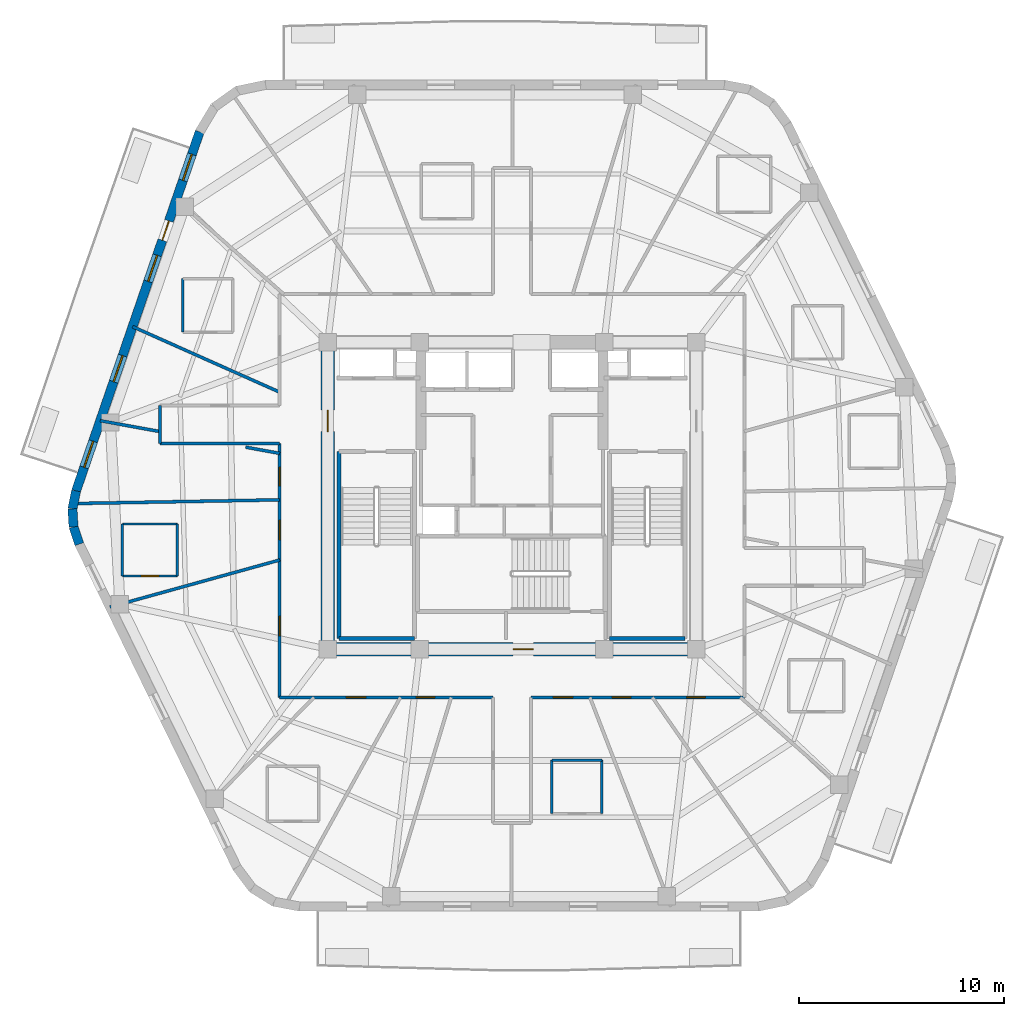
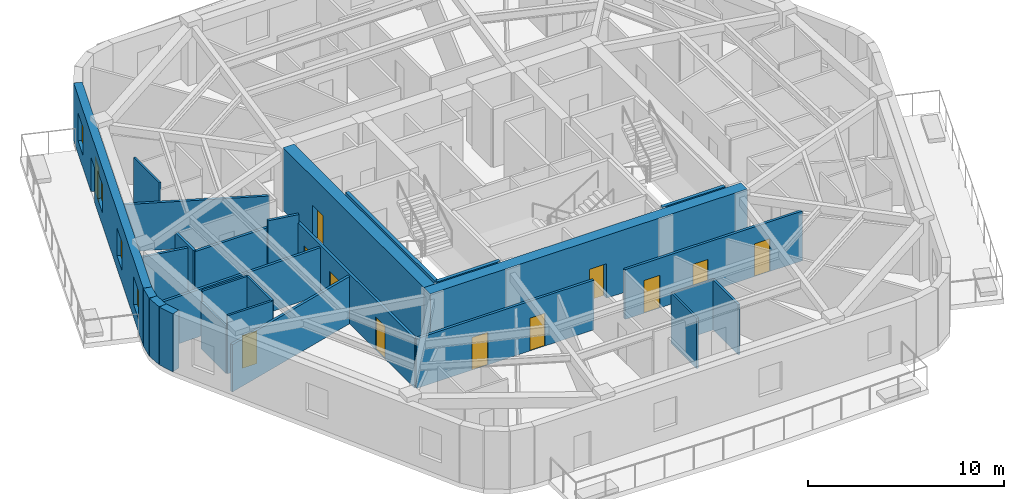
# One storey, part 3 of 9: 27 walls, 12 doors, 4 windows, 16 openings.
"""IFC4 building model written with IfcOpenShell, lengths in metres."""

from ifc_helpers import new_model, si_unit, direction, frame, frame_2d, origin, place, context, subcontext, project, spatial, rectangle, extrude, material, layer, layer_set, type_object, element, fill, save


model = new_model("IFC4")

# Units and contexts
model_context = context("Model", 3, precision=1e-05, world=origin(), true_north=direction((0.0, 1.0)))
body_context = subcontext(model_context, "Body", "Model", "MODEL_VIEW")
ifc_project = project(units=[si_unit("LENGTHUNIT", "METRE"), si_unit("AREAUNIT", "SQUARE_METRE"), si_unit("VOLUMEUNIT", "CUBIC_METRE"), si_unit("PLANEANGLEUNIT", "RADIAN"), si_unit("MASSUNIT", "GRAM", prefix="KILO")], contexts=[model_context])

# Site, building, storey
site_placement = place(None, origin())
site = spatial("IfcSite", under=ifc_project, at=site_placement, CompositionType="ELEMENT")
building_placement = place(site_placement, origin())
building = spatial("IfcBuilding", under=site, at=building_placement, Name="Kilnhurst Terrace Hotel", CompositionType="ELEMENT")
storey_placement = place(building_placement, frame((0.0, 0.0, 265.199951171875)))
storey = spatial("IfcBuildingStorey", under=building, at=storey_placement, Name="L66", CompositionType="ELEMENT", Elevation=265.199951171875)

# Walls
ifc_material_1 = material(Name="Precast concrete C40/50", Category="concrete")
ifc_layer_1 = layer(ifc_material_1, 0.449951171875, Name="Precast concrete C40/50")
ifc_layer_set_1 = layer_set([ifc_layer_1], Name="Precast concrete C40/50")
wall_type_1 = type_object("IfcWallType", Name="WL-BRK-450", PredefinedType="SOLIDWALL", material=ifc_layer_set_1)
wall_1_placement = place(storey_placement, frame((-21.297607421875, 0.2333984375, 0.0), z_axis=(0.0, 0.0, 1.0), x_axis=(-0.199158176661, -0.979967356941, 0.0)))
element("IfcWall", 1, at=wall_1_placement, inside=storey, type_object=wall_type_1, Name="L66 Rounded Corner Brick Wall C6.1", PredefinedType="SOLIDWALL", context=body_context, shape_type="SweptSolid", body=[
    extrude(rectangle(XDim=0.894775390625, YDim=0.449951171875, at=frame_2d((0.447265625, 0.0))), origin(), (0.0, 0.0, 1.0), 3.60009765625),
])
wall_2_placement = place(storey_placement, frame((-21.475830078125, -0.6435546875, 0.0), z_axis=(0.0, 0.0, 1.0), x_axis=(0.061031097918, -0.998135865044, 0.0)))
element("IfcWall", 2, at=wall_2_placement, inside=storey, type_object=wall_type_1, Name="L66 Rounded Corner Brick Wall C6.2", PredefinedType="SOLIDWALL", context=body_context, shape_type="SweptSolid", body=[
    extrude(rectangle(XDim=0.880126953125, YDim=0.449951171875, at=frame_2d((0.43994140625, 0.0))), origin(), (0.0, 0.0, 1.0), 3.60009765625),
])
wall_3_placement = place(storey_placement, frame((-21.422119140625, -1.52197265625, 0.0), z_axis=(0.0, 0.0, 1.0), x_axis=(0.316964162323, -0.94843751497, 0.0)))
element("IfcWall", 3, at=wall_3_placement, inside=storey, type_object=wall_type_1, Name="L66 Rounded Corner Brick Wall C6.3", PredefinedType="SOLIDWALL", context=body_context, shape_type="SweptSolid", body=[
    extrude(rectangle(XDim=0.89501953125, YDim=0.449951171875, at=frame_2d((0.447509765625, 0.0))), origin(), (0.0, 0.0, 1.0), 3.60009765625),
])

# Wall, openings, door, windows
wall_4_placement = place(storey_placement, frame((-15.260498046875, 17.776123046875, 0.0), z_axis=(0.0, 0.0, 1.0), x_axis=(-0.325407437101, -0.945573899745, 0.0)))
wall_4 = element("IfcWall", 4, at=wall_4_placement, inside=storey, type_object=wall_type_1, Name="L66 Exterior Brick Facade Wall F5", PredefinedType="SOLIDWALL", context=body_context, shape_type="SweptSolid", body=[
    extrude(rectangle(XDim=18.552490234375, YDim=0.449951171875, at=frame_2d((9.2763671875, 0.0))), origin(), (0.0, 0.0, 1.0), 3.60009765625),
])
opening_1_placement = place(wall_4_placement, frame((4.60205078125, 0.0, 0.0)))
opening_1 = element("IfcOpeningElement", 5, at=opening_1_placement, cuts=wall_4, Name="Opening BD-1000", PredefinedType="OPENING", context=body_context, shape_type="SweptSolid", body=[
    extrude(rectangle(XDim=1.0, YDim=2.14990234375, at=frame_2d((0.5, 1.074951171875))), frame((0.0, 0.23486328125, 0.0), z_axis=(0.0, -1.0, 0.0), x_axis=(1.0, 0.0, 0.0)), (0.0, 0.0, 1.0), 0.469970703125),
])
opening_2_placement = place(wall_4_placement, frame((1.160888671875, 0.0, 0.800048828125)))
opening_2 = element("IfcOpeningElement", 6, at=opening_2_placement, cuts=wall_4, Name="Opening W-06", PredefinedType="OPENING", context=body_context, shape_type="SweptSolid", body=[
    extrude(rectangle(XDim=1.35009765625, YDim=1.75, at=frame_2d((0.675048828125, 0.875))), frame((0.0, 0.23486328125, 0.0), z_axis=(0.0, -1.0, 0.0), x_axis=(1.0, 0.0, 0.0)), (0.0, 0.0, 1.0), 0.469970703125),
])
opening_3_placement = place(wall_4_placement, frame((6.37890625, 0.0, 0.800048828125)))
opening_3 = element("IfcOpeningElement", 7, at=opening_3_placement, cuts=wall_4, Name="Opening W-06", PredefinedType="OPENING", context=body_context, shape_type="SweptSolid", body=[
    extrude(rectangle(XDim=1.35009765625, YDim=1.75, at=frame_2d((0.675048828125, 0.875))), frame((0.0, 0.23486328125, 0.0), z_axis=(0.0, -1.0, 0.0), x_axis=(1.0, 0.0, 0.0)), (0.0, 0.0, 1.0), 0.469970703125),
])
opening_4_placement = place(wall_4_placement, frame((11.56103515625, 0.0, 0.800048828125)))
opening_4 = element("IfcOpeningElement", 8, at=opening_4_placement, cuts=wall_4, Name="Opening W-06", PredefinedType="OPENING", context=body_context, shape_type="SweptSolid", body=[
    extrude(rectangle(XDim=1.35009765625, YDim=1.75, at=frame_2d((0.675048828125, 0.875))), frame((0.0, 0.23486328125, 0.0), z_axis=(0.0, -1.0, 0.0), x_axis=(1.0, 0.0, 0.0)), (0.0, 0.0, 1.0), 0.469970703125),
])
opening_5_placement = place(wall_4_placement, frame((15.987060546875, 0.0, 0.800048828125)))
opening_5 = element("IfcOpeningElement", 9, at=opening_5_placement, cuts=wall_4, Name="Opening W-06", PredefinedType="OPENING", context=body_context, shape_type="SweptSolid", body=[
    extrude(rectangle(XDim=1.35009765625, YDim=1.75, at=frame_2d((0.675048828125, 0.875))), frame((0.0, 0.23486328125, 0.0), z_axis=(0.0, -1.0, 0.0), x_axis=(1.0, 0.0, 0.0)), (0.0, 0.0, 1.0), 0.469970703125),
])
ifc_material_2 = material(Name="Thermally Broken Bronze Aluminium Alloy 6063-T6 and Laminated Glass", Category="aluminium")
door_type_1 = type_object("IfcDoorType", Name="DR-EXT-BAL-1000", OperationType="NOTDEFINED", PredefinedType="DOOR", material=ifc_material_2)
door_1_placement = place(opening_1_placement, origin())
door_1 = element("IfcDoor", 10, at=door_1_placement, inside=storey, type_object=door_type_1, Name="L66 Planted Balcony Door BAL-L2B", OperationType="SINGLE_SWING_LEFT", OverallHeight=2.14990234375, OverallWidth=1.0, PredefinedType="DOOR", context=body_context, shape_type="SweptSolid", body=[
    extrude(rectangle(XDim=1.0, YDim=2.14990234375, at=frame_2d((0.5, 1.074951171875))), frame((0.0, 0.02490234375, 0.0), z_axis=(0.0, -1.0, 0.0), x_axis=(1.0, 0.0, 0.0)), (0.0, 0.0, 1.0), 0.050048828125),
])
fill(opening_1, door_1)
ifc_material_3 = material(Name="Thermally Broken Bronze Aluminium Alloy 6063-T6 and Low-E Glass", Category="aluminium")
window_type = type_object("IfcWindowType", Name="WIN-1350X1750", PartitioningType="SINGLE_PANEL", PredefinedType="WINDOW", material=ifc_material_3)
window_1_placement = place(opening_2_placement, origin())
window_1 = element("IfcWindow", 11, at=window_1_placement, inside=storey, type_object=window_type, Name="L66 Deep-Set Masonry Window F5.1", OverallHeight=1.75, OverallWidth=1.35009765625, PartitioningType="SINGLE_PANEL", PredefinedType="WINDOW", context=body_context, shape_type="SweptSolid", body=[
    extrude(rectangle(XDim=1.35009765625, YDim=1.75, at=frame_2d((0.675048828125, 0.875))), frame((0.0, 0.030029296875, 0.0), z_axis=(0.0, -1.0, 0.0), x_axis=(1.0, 0.0, 0.0)), (0.0, 0.0, 1.0), 0.06005859375),
])
fill(opening_2, window_1)
window_2_placement = place(opening_3_placement, origin())
window_2 = element("IfcWindow", 12, at=window_2_placement, inside=storey, type_object=window_type, Name="L66 Deep-Set Masonry Window F5.2", OverallHeight=1.75, OverallWidth=1.35009765625, PartitioningType="SINGLE_PANEL", PredefinedType="WINDOW", context=body_context, shape_type="SweptSolid", body=[
    extrude(rectangle(XDim=1.35009765625, YDim=1.75, at=frame_2d((0.675048828125, 0.875))), frame((0.0, 0.030029296875, 0.0), z_axis=(0.0, -1.0, 0.0), x_axis=(1.0, 0.0, 0.0)), (0.0, 0.0, 1.0), 0.06005859375),
])
fill(opening_3, window_2)
window_3_placement = place(opening_4_placement, origin())
window_3 = element("IfcWindow", 13, at=window_3_placement, inside=storey, type_object=window_type, Name="L66 Deep-Set Masonry Window F5.3", OverallHeight=1.75, OverallWidth=1.35009765625, PartitioningType="SINGLE_PANEL", PredefinedType="WINDOW", context=body_context, shape_type="SweptSolid", body=[
    extrude(rectangle(XDim=1.35009765625, YDim=1.75, at=frame_2d((0.675048828125, 0.875))), frame((0.0, 0.030029296875, 0.0), z_axis=(0.0, -1.0, 0.0), x_axis=(1.0, 0.0, 0.0)), (0.0, 0.0, 1.0), 0.06005859375),
])
fill(opening_4, window_3)
window_4_placement = place(opening_5_placement, origin())
window_4 = element("IfcWindow", 14, at=window_4_placement, inside=storey, type_object=window_type, Name="L66 Deep-Set Masonry Window F5.4", OverallHeight=1.75, OverallWidth=1.35009765625, PartitioningType="SINGLE_PANEL", PredefinedType="WINDOW", context=body_context, shape_type="SweptSolid", body=[
    extrude(rectangle(XDim=1.35009765625, YDim=1.75, at=frame_2d((0.675048828125, 0.875))), frame((0.0, 0.030029296875, 0.0), z_axis=(0.0, -1.0, 0.0), x_axis=(1.0, 0.0, 0.0)), (0.0, 0.0, 1.0), 0.06005859375),
])
fill(opening_5, window_4)

# Wall, openings, doors
ifc_material_4 = material(Name="Acoustic Double-Gypsum Corridor Partition Assembly")
ifc_layer_2 = layer(ifc_material_4, 0.14990234375, Name="Acoustic Double-Gypsum Corridor Partition Assembly")
ifc_layer_set_2 = layer_set([ifc_layer_2], Name="Acoustic Double-Gypsum Corridor Partition Assembly")
wall_type_2 = type_object("IfcWallType", Name="WL-COR-150", PredefinedType="PARTITIONING", material=ifc_layer_set_2)
wall_5_placement = place(storey_placement, frame((-11.35009765625, -9.85009765625, 0.0), z_axis=(0.0, 0.0, 1.0), x_axis=(0.0, 1.0, 0.0)))
wall_5 = element("IfcWall", 15, at=wall_5_placement, inside=storey, type_object=wall_type_2, Name="L66 Interior Wall WL-L66-COR-01", PredefinedType="PARTITIONING", context=body_context, shape_type="SweptSolid", body=[
    extrude(rectangle(XDim=12.400146484375, YDim=0.14990234375, at=frame_2d((6.2001953125, 0.0))), origin(), (0.0, 0.0, 1.0), 3.090087890625),
])
opening_6_placement = place(wall_5_placement, frame((10.3330078125, 0.0, 0.0)))
opening_6 = element("IfcOpeningElement", 16, at=opening_6_placement, cuts=wall_5, Name="Opening D-60C", PredefinedType="OPENING", context=body_context, shape_type="SweptSolid", body=[
    extrude(rectangle(XDim=0.89990234375, YDim=2.030029296875, at=frame_2d((0.449951171875, 1.01513671875))), frame((0.0, 0.0849609375, 0.0), z_axis=(0.0, -1.0, 0.0), x_axis=(1.0, 0.0, 0.0)), (0.0, 0.0, 1.0), 0.169921875),
])
opening_7_placement = place(wall_5_placement, frame((7.697021484375, 0.0, 0.0)))
opening_7 = element("IfcOpeningElement", 17, at=opening_7_placement, cuts=wall_5, Name="Opening D-60B", PredefinedType="OPENING", context=body_context, shape_type="SweptSolid", body=[
    extrude(rectangle(XDim=0.949951171875, YDim=2.030029296875, at=frame_2d((0.47509765625, 1.01513671875))), frame((0.0, 0.0849609375, 0.0), z_axis=(0.0, -1.0, 0.0), x_axis=(1.0, 0.0, 0.0)), (0.0, 0.0, 1.0), 0.169921875),
])
opening_8_placement = place(wall_5_placement, frame((2.998046875, 0.0, 0.0)))
opening_8 = element("IfcOpeningElement", 18, at=opening_8_placement, cuts=wall_5, Name="Opening D-60B", PredefinedType="OPENING", context=body_context, shape_type="SweptSolid", body=[
    extrude(rectangle(XDim=0.949951171875, YDim=2.030029296875, at=frame_2d((0.47509765625, 1.01513671875))), frame((0.0, 0.0849609375, 0.0), z_axis=(0.0, -1.0, 0.0), x_axis=(1.0, 0.0, 0.0)), (0.0, 0.0, 1.0), 0.169921875),
])
ifc_material_5 = material(Name="Painted Solid-Core Service Fire Door")
door_type_2 = type_object("IfcDoorType", Name="DR-FD60-900", OperationType="NOTDEFINED", PredefinedType="DOOR", material=ifc_material_5)
door_2_placement = place(opening_6_placement, origin())
door_2 = element("IfcDoor", 19, at=door_2_placement, inside=storey, type_object=door_type_2, Name="L66 Private Tasting Dining Room Door 11", OperationType="SINGLE_SWING_LEFT", OverallHeight=2.030029296875, OverallWidth=0.89990234375, PredefinedType="DOOR", context=body_context, shape_type="SweptSolid", body=[
    extrude(rectangle(XDim=0.89990234375, YDim=2.030029296875, at=frame_2d((0.449951171875, 1.01513671875))), frame((0.0, 0.02490234375, 0.0), z_axis=(0.0, -1.0, 0.0), x_axis=(1.0, 0.0, 0.0)), (0.0, 0.0, 1.0), 0.050048828125),
])
fill(opening_6, door_2)
ifc_material_6 = material(Name="Acoustic Walnut Veneer Solid-Core Fire Door")
door_type_3 = type_object("IfcDoorType", Name="DR-FD60-950", OperationType="NOTDEFINED", PredefinedType="DOOR", material=ifc_material_6)
door_3_placement = place(opening_7_placement, origin())
door_3 = element("IfcDoor", 20, at=door_3_placement, inside=storey, type_object=door_type_3, Name="L66 Guest Room Entry Door 12", OperationType="SINGLE_SWING_RIGHT", OverallHeight=2.030029296875, OverallWidth=0.949951171875, PredefinedType="DOOR", context=body_context, shape_type="SweptSolid", body=[
    extrude(rectangle(XDim=0.949951171875, YDim=2.030029296875, at=frame_2d((0.47509765625, 1.01513671875))), frame((0.0, 0.02490234375, 0.0), z_axis=(0.0, -1.0, 0.0), x_axis=(1.0, 0.0, 0.0)), (0.0, 0.0, 1.0), 0.050048828125),
])
fill(opening_7, door_3)
door_4_placement = place(opening_8_placement, origin())
door_4 = element("IfcDoor", 21, at=door_4_placement, inside=storey, type_object=door_type_3, Name="L66 Summit Club Lounge Door", OperationType="SINGLE_SWING_LEFT", OverallHeight=2.030029296875, OverallWidth=0.949951171875, PredefinedType="DOOR", context=body_context, shape_type="SweptSolid", body=[
    extrude(rectangle(XDim=0.949951171875, YDim=2.030029296875, at=frame_2d((0.47509765625, 1.01513671875))), frame((0.0, 0.02490234375, 0.0), z_axis=(0.0, -1.0, 0.0), x_axis=(1.0, 0.0, 0.0)), (0.0, 0.0, 1.0), 0.050048828125),
])
fill(opening_8, door_4)

# Walls
wall_6_placement = place(storey_placement, frame((-11.35009765625, 2.550048828125, 0.0), z_axis=(0.0, 0.0, 1.0), x_axis=(-1.0, 0.0, 0.0)))
element("IfcWall", 22, at=wall_6_placement, inside=storey, type_object=wall_type_2, Name="L66 Interior Wall WL-L66-COR-02", PredefinedType="PARTITIONING", context=body_context, shape_type="SweptSolid", body=[
    extrude(rectangle(XDim=5.849853515625, YDim=0.14990234375, at=frame_2d((2.9248046875, 0.0))), origin(), (0.0, 0.0, 1.0), 3.04052734375),
])
wall_7_placement = place(storey_placement, frame((-17.199951171875, 2.550048828125, 0.0), z_axis=(0.0, 0.0, 1.0), x_axis=(0.0, 1.0, 0.0)))
element("IfcWall", 23, at=wall_7_placement, inside=storey, type_object=wall_type_2, Name="L66 Interior Wall WL-L66-COR-03", PredefinedType="PARTITIONING", context=body_context, shape_type="SweptSolid", body=[
    extrude(rectangle(XDim=1.849853515625, YDim=0.14990234375, at=frame_2d((0.9248046875, 0.0))), origin(), (0.0, 0.0, 1.0), 3.090087890625),
])

# Wall, openings, doors
wall_8_placement = place(storey_placement, frame((11.35009765625, -9.85009765625, 0.0), z_axis=(0.0, 0.0, 1.0), x_axis=(-1.0, 0.0, 0.0)))
wall_8 = element("IfcWall", 24, at=wall_8_placement, inside=storey, type_object=wall_type_2, Name="L66 Interior Wall WL-L66-COR-16", PredefinedType="PARTITIONING", context=body_context, shape_type="SweptSolid", body=[
    extrude(rectangle(XDim=10.43017578125, YDim=0.14990234375, at=frame_2d((5.215087890625, 0.0))), origin(), (0.0, 0.0, 1.0), 3.090087890625),
])
opening_9_placement = place(wall_8_placement, frame((8.382080078125, 0.0, 0.0)))
opening_9 = element("IfcOpeningElement", 25, at=opening_9_placement, cuts=wall_8, Name="Opening D-60B", PredefinedType="OPENING", context=body_context, shape_type="SweptSolid", body=[
    extrude(rectangle(XDim=0.949951171875, YDim=2.030029296875, at=frame_2d((0.47509765625, 1.01513671875))), frame((0.0, 0.0849609375, 0.0), z_axis=(0.0, -1.0, 0.0), x_axis=(1.0, 0.0, 0.0)), (0.0, 0.0, 1.0), 0.169921875),
])
opening_10_placement = place(wall_8_placement, frame((5.541015625, 0.0, 0.0)))
opening_10 = element("IfcOpeningElement", 26, at=opening_10_placement, cuts=wall_8, Name="Opening D-60C", PredefinedType="OPENING", context=body_context, shape_type="SweptSolid", body=[
    extrude(rectangle(XDim=0.89990234375, YDim=2.030029296875, at=frame_2d((0.449951171875, 1.01513671875))), frame((0.0, 0.0849609375, 0.0), z_axis=(0.0, -1.0, 0.0), x_axis=(1.0, 0.0, 0.0)), (0.0, 0.0, 1.0), 0.169921875),
])
opening_11_placement = place(wall_8_placement, frame((1.916015625, 0.0, 0.0)))
opening_11 = element("IfcOpeningElement", 27, at=opening_11_placement, cuts=wall_8, Name="Opening D-60C", PredefinedType="OPENING", context=body_context, shape_type="SweptSolid", body=[
    extrude(rectangle(XDim=0.89990234375, YDim=2.030029296875, at=frame_2d((0.449951171875, 1.01513671875))), frame((0.0, 0.0849609375, 0.0), z_axis=(0.0, -1.0, 0.0), x_axis=(1.0, 0.0, 0.0)), (0.0, 0.0, 1.0), 0.169921875),
])
door_5_placement = place(opening_10_placement, origin())
door_5 = element("IfcDoor", 28, at=door_5_placement, inside=storey, type_object=door_type_2, Name="L66 Botanical Reading Lounge Door 18", OperationType="SINGLE_SWING_RIGHT", OverallHeight=2.030029296875, OverallWidth=0.89990234375, PredefinedType="DOOR", context=body_context, shape_type="SweptSolid", body=[
    extrude(rectangle(XDim=0.89990234375, YDim=2.030029296875, at=frame_2d((0.449951171875, 1.01513671875))), frame((0.0, 0.02490234375, 0.0), z_axis=(0.0, -1.0, 0.0), x_axis=(1.0, 0.0, 0.0)), (0.0, 0.0, 1.0), 0.050048828125),
])
fill(opening_10, door_5)
door_6_placement = place(opening_11_placement, origin())
door_6 = element("IfcDoor", 29, at=door_6_placement, inside=storey, type_object=door_type_2, Name="L66 Private Meeting Salon Door 19", OperationType="SINGLE_SWING_LEFT", OverallHeight=2.030029296875, OverallWidth=0.89990234375, PredefinedType="DOOR", context=body_context, shape_type="SweptSolid", body=[
    extrude(rectangle(XDim=0.89990234375, YDim=2.030029296875, at=frame_2d((0.449951171875, 1.01513671875))), frame((0.0, 0.02490234375, 0.0), z_axis=(0.0, -1.0, 0.0), x_axis=(1.0, 0.0, 0.0)), (0.0, 0.0, 1.0), 0.050048828125),
])
fill(opening_11, door_6)
door_7_placement = place(opening_9_placement, origin())
door_7 = element("IfcDoor", 30, at=door_7_placement, inside=storey, type_object=door_type_3, Name="L66 Guest Room Entry Door 17", OperationType="SINGLE_SWING_LEFT", OverallHeight=2.030029296875, OverallWidth=0.949951171875, PredefinedType="DOOR", context=body_context, shape_type="SweptSolid", body=[
    extrude(rectangle(XDim=0.949951171875, YDim=2.030029296875, at=frame_2d((0.47509765625, 1.01513671875))), frame((0.0, 0.02490234375, 0.0), z_axis=(0.0, -1.0, 0.0), x_axis=(1.0, 0.0, 0.0)), (0.0, 0.0, 1.0), 0.050048828125),
])
fill(opening_9, door_7)

wall_9_placement = place(storey_placement, frame((-0.919921875, -9.85009765625, 0.0), z_axis=(0.0, 0.0, 1.0), x_axis=(-1.0, 0.0, 0.0)))
wall_9 = element("IfcWall", 31, at=wall_9_placement, inside=storey, type_object=wall_type_2, Name="L66 Interior Wall WL-L66-COR-20", PredefinedType="PARTITIONING", context=body_context, shape_type="SweptSolid", body=[
    extrude(rectangle(XDim=10.43017578125, YDim=0.14990234375, at=frame_2d((5.215087890625, 0.0))), origin(), (0.0, 0.0, 1.0), 3.090087890625),
])
opening_12_placement = place(wall_9_placement, frame((6.216064453125, 0.0, 0.0)))
opening_12 = element("IfcOpeningElement", 32, at=opening_12_placement, cuts=wall_9, Name="Opening D-60B", PredefinedType="OPENING", context=body_context, shape_type="SweptSolid", body=[
    extrude(rectangle(XDim=0.949951171875, YDim=2.030029296875, at=frame_2d((0.47509765625, 1.01513671875))), frame((0.0, 0.0849609375, 0.0), z_axis=(0.0, -1.0, 0.0), x_axis=(1.0, 0.0, 0.0)), (0.0, 0.0, 1.0), 0.169921875),
])
opening_13_placement = place(wall_9_placement, frame((2.860107421875, 0.0, 0.0)))
opening_13 = element("IfcOpeningElement", 33, at=opening_13_placement, cuts=wall_9, Name="Opening D-60C", PredefinedType="OPENING", context=body_context, shape_type="SweptSolid", body=[
    extrude(rectangle(XDim=0.89990234375, YDim=2.030029296875, at=frame_2d((0.449951171875, 1.01513671875))), frame((0.0, 0.0849609375, 0.0), z_axis=(0.0, -1.0, 0.0), x_axis=(1.0, 0.0, 0.0)), (0.0, 0.0, 1.0), 0.169921875),
])
door_8_placement = place(opening_13_placement, origin())
door_8 = element("IfcDoor", 34, at=door_8_placement, inside=storey, type_object=door_type_2, Name="L66 Executive Work Office Door 15", OperationType="SINGLE_SWING_LEFT", OverallHeight=2.030029296875, OverallWidth=0.89990234375, PredefinedType="DOOR", context=body_context, shape_type="SweptSolid", body=[
    extrude(rectangle(XDim=0.89990234375, YDim=2.030029296875, at=frame_2d((0.449951171875, 1.01513671875))), frame((0.0, 0.02490234375, 0.0), z_axis=(0.0, -1.0, 0.0), x_axis=(1.0, 0.0, 0.0)), (0.0, 0.0, 1.0), 0.050048828125),
])
fill(opening_13, door_8)
door_9_placement = place(opening_12_placement, origin())
door_9 = element("IfcDoor", 35, at=door_9_placement, inside=storey, type_object=door_type_3, Name="L66 Guest Room Entry Door 14", OperationType="SINGLE_SWING_RIGHT", OverallHeight=2.030029296875, OverallWidth=0.949951171875, PredefinedType="DOOR", context=body_context, shape_type="SweptSolid", body=[
    extrude(rectangle(XDim=0.949951171875, YDim=2.030029296875, at=frame_2d((0.47509765625, 1.01513671875))), frame((0.0, 0.02490234375, 0.0), z_axis=(0.0, -1.0, 0.0), x_axis=(1.0, 0.0, 0.0)), (0.0, 0.0, 1.0), 0.050048828125),
])
fill(opening_12, door_9)

# Wall, opening, door
ifc_material_7 = material(Name="Concrete C60/75", Category="concrete")
ifc_layer_3 = layer(ifc_material_7, 0.64990234375, Name="Concrete C60/75")
ifc_layer_set_3 = layer_set([ifc_layer_3], Name="Concrete C60/75")
wall_type_3 = type_object("IfcWallType", Name="WL-CORE-650", PredefinedType="SHEAR", material=ifc_layer_set_3)
wall_10_placement = place(storey_placement, frame((-9.324951171875, -7.5, 0.0), z_axis=(0.0, 0.0, 1.0), x_axis=(1.0, 0.0, 0.0)))
wall_10 = element("IfcWall", 36, at=wall_10_placement, inside=storey, type_object=wall_type_3, Name="L66 Core South Shear Wall", PredefinedType="SHEAR", context=body_context, shape_type="SweptSolid", body=[
    extrude(rectangle(XDim=18.64990234375, YDim=0.64990234375, at=frame_2d((9.324951171875, 0.0))), origin(), (0.0, 0.0, 1.0), 3.900146484375),
])
opening_14_placement = place(wall_10_placement, frame((9.375, 0.0, 0.0)))
opening_14 = element("IfcOpeningElement", 37, at=opening_14_placement, cuts=wall_10, Name="Opening D-90B", PredefinedType="OPENING", context=body_context, shape_type="SweptSolid", body=[
    extrude(rectangle(XDim=1.0, YDim=2.14990234375, at=frame_2d((0.5, 1.074951171875))), frame((0.0, 0.3349609375, 0.0), z_axis=(0.0, -1.0, 0.0), x_axis=(1.0, 0.0, 0.0)), (0.0, 0.0, 1.0), 0.669921875),
])
ifc_material_8 = material(Name="Painted Hollow Metal Steel ASTM A36 Fire Door", Category="steel")
door_type_4 = type_object("IfcDoorType", Name="DR-FD90-1000", OperationType="NOTDEFINED", PredefinedType="DOOR", material=ifc_material_8)
door_10_placement = place(opening_14_placement, origin())
door_10 = element("IfcDoor", 38, at=door_10_placement, inside=storey, type_object=door_type_4, Name="L66 Stair ST-3 Corridor Door", OperationType="SINGLE_SWING_RIGHT", OverallHeight=2.14990234375, OverallWidth=1.0, PredefinedType="DOOR", context=body_context, shape_type="SweptSolid", body=[
    extrude(rectangle(XDim=1.0, YDim=2.14990234375, at=frame_2d((0.5, 1.074951171875))), frame((0.0, 0.02490234375, 0.0), z_axis=(0.0, -1.0, 0.0), x_axis=(1.0, 0.0, 0.0)), (0.0, 0.0, 1.0), 0.050048828125),
])
fill(opening_14, door_10)

wall_11_placement = place(storey_placement, frame((-9.0, -7.175048828125, 0.0), z_axis=(0.0, 0.0, 1.0), x_axis=(0.0, 1.0, 0.0)))
wall_11 = element("IfcWall", 39, at=wall_11_placement, inside=storey, type_object=wall_type_3, Name="L66 Core West Shear Wall", PredefinedType="SHEAR", context=body_context, shape_type="SweptSolid", body=[
    extrude(rectangle(XDim=14.35009765625, YDim=0.64990234375, at=frame_2d((7.175048828125, 0.0))), origin(), (0.0, 0.0, 1.0), 3.900146484375),
])
opening_15_placement = place(wall_11_placement, frame((10.300048828125, 0.0, 0.0)))
opening_15 = element("IfcOpeningElement", 40, at=opening_15_placement, cuts=wall_11, Name="Opening D-90A", PredefinedType="OPENING", context=body_context, shape_type="SweptSolid", body=[
    extrude(rectangle(XDim=1.050048828125, YDim=2.14990234375, at=frame_2d((0.52490234375, 1.074951171875))), frame((0.0, 0.3349609375, 0.0), z_axis=(0.0, -1.0, 0.0), x_axis=(1.0, 0.0, 0.0)), (0.0, 0.0, 1.0), 0.669921875),
])
door_type_5 = type_object("IfcDoorType", Name="DR-FD90-1050", OperationType="NOTDEFINED", PredefinedType="DOOR", material=ifc_material_8)
door_11_placement = place(opening_15_placement, origin())
door_11 = element("IfcDoor", 41, at=door_11_placement, inside=storey, type_object=door_type_5, Name="L66 West Firefighting Lobby Door", OperationType="SINGLE_SWING_RIGHT", OverallHeight=2.14990234375, OverallWidth=1.050048828125, PredefinedType="DOOR", context=body_context, shape_type="SweptSolid", body=[
    extrude(rectangle(XDim=1.050048828125, YDim=2.14990234375, at=frame_2d((0.52490234375, 1.074951171875))), frame((0.0, 0.02490234375, 0.0), z_axis=(0.0, -1.0, 0.0), x_axis=(1.0, 0.0, 0.0)), (0.0, 0.0, 1.0), 0.050048828125),
])
fill(opening_15, door_11)

# Walls
ifc_material_9 = material(Name="STC-58 Acoustic Twin-Frame Guestroom Demising Partition")
ifc_layer_4 = layer(ifc_material_9, 0.14990234375, Name="STC-58 Acoustic Twin-Frame Guestroom Demising Partition")
ifc_layer_set_4 = layer_set([ifc_layer_4], Name="STC-58 Acoustic Twin-Frame Guestroom Demising Partition")
wall_type_4 = type_object("IfcWallType", Name="WL-DEM-150", PredefinedType="PARTITIONING", material=ifc_layer_set_4)
wall_12_placement = place(storey_placement, frame((-11.35009765625, 5.056640625, 0.0), z_axis=(0.0, 0.0, 1.0), x_axis=(-0.91344644156, 0.406958964026, 0.0)))
element("IfcWall", 42, at=wall_12_placement, inside=storey, type_object=wall_type_4, Name="L66 Interior Wall WL-L66-DEM-MID05-10-1", PredefinedType="PARTITIONING", context=body_context, shape_type="SweptSolid", body=[
    extrude(rectangle(XDim=7.86669921875, YDim=0.14990234375, at=frame_2d((3.933349609375, 0.0))), origin(), (0.0, 0.0, 1.0), 2.93994140625),
])
wall_13_placement = place(storey_placement, frame((-11.35009765625, 2.067138671875, 0.0), z_axis=(0.0, 0.0, 1.0), x_axis=(-0.983807459651, 0.179228575665, 0.0)))
element("IfcWall", 43, at=wall_13_placement, inside=storey, type_object=wall_type_4, Name="L66 Interior Wall WL-L66-DEM-COL06-11-1", PredefinedType="PARTITIONING", context=body_context, shape_type="SweptSolid", body=[
    extrude(rectangle(XDim=1.6904296875, YDim=0.14990234375, at=frame_2d((0.84521484375, 0.0))), origin(), (0.0, 0.0, 1.0), 3.60009765625),
])
wall_14_placement = place(storey_placement, frame((-17.199951171875, 3.132568359375, 0.0), z_axis=(0.0, 0.0, 1.0), x_axis=(-0.983817168797, 0.179175272791, 0.0)))
element("IfcWall", 44, at=wall_14_placement, inside=storey, type_object=wall_type_4, Name="L66 Interior Wall WL-L66-DEM-COL06-11-2", PredefinedType="PARTITIONING", context=body_context, shape_type="SweptSolid", body=[
    extrude(rectangle(XDim=2.965087890625, YDim=0.14990234375, at=frame_2d((1.482421875, 0.0))), origin(), (0.0, 0.0, 1.0), 2.93994140625),
])
wall_15_placement = place(storey_placement, frame((-11.35009765625, -0.2041015625, 0.0), z_axis=(0.0, 0.0, 1.0), x_axis=(-0.999838748671, -0.017957635019, 0.0)))
element("IfcWall", 45, at=wall_15_placement, inside=storey, type_object=wall_type_4, Name="L66 Interior Wall WL-L66-DEM-MID06-12-1", PredefinedType="PARTITIONING", context=body_context, shape_type="SweptSolid", body=[
    extrude(rectangle(XDim=9.9111328125, YDim=0.14990234375, at=frame_2d((4.95556640625, 0.0))), origin(), (0.0, 0.0, 1.0), 2.93994140625),
])
wall_16_placement = place(storey_placement, frame((-11.35009765625, -3.142822265625, 0.0), z_axis=(0.0, 0.0, 1.0), x_axis=(-0.963731818141, -0.266872596386, 0.0)))
element("IfcWall", 46, at=wall_16_placement, inside=storey, type_object=wall_type_4, Name="L66 Interior Wall WL-L66-DEM-COL07-13-1", PredefinedType="PARTITIONING", context=body_context, shape_type="SweptSolid", body=[
    extrude(rectangle(XDim=8.604736328125, YDim=0.14990234375, at=frame_2d((4.30224609375, 0.0))), origin(), (0.0, 0.0, 1.0), 2.93994140625),
])
ifc_material_10 = material(Name="120 mm Moisture-Resistant Tile-Backed Bathroom Partition")
ifc_layer_5 = layer(ifc_material_10, 0.1201171875, Name="120 mm Moisture-Resistant Tile-Backed Bathroom Partition")
ifc_layer_set_5 = layer_set([ifc_layer_5], Name="120 mm Moisture-Resistant Tile-Backed Bathroom Partition")
wall_type_5 = type_object("IfcWallType", Name="WL-PART-120", PredefinedType="PARTITIONING", material=ifc_layer_set_5)
wall_17_placement = place(storey_placement, frame((-16.0791015625, 10.60205078125, 0.0), z_axis=(0.0, 0.0, 1.0), x_axis=(0.0, -1.0, 0.0)))
element("IfcWall", 47, at=wall_17_placement, inside=storey, type_object=wall_type_5, Name="L66 Interior Wall WL-L66-BTH-09-4", PredefinedType="PARTITIONING", context=body_context, shape_type="SweptSolid", body=[
    extrude(rectangle(XDim=2.610107421875, YDim=0.1201171875, at=frame_2d((1.30517578125, 0.0))), origin(), (0.0, 0.0, 1.0), 3.60009765625),
])

# Wall, opening, door
wall_18_placement = place(storey_placement, frame((-19.031005859375, -3.924072265625, 0.0), z_axis=(0.0, 0.0, 1.0), x_axis=(1.0, 0.0, 0.0)))
wall_18 = element("IfcWall", 48, at=wall_18_placement, inside=storey, type_object=wall_type_5, Name="L66 Interior Wall WL-L66-BTH-12-1", PredefinedType="PARTITIONING", context=body_context, shape_type="SweptSolid", body=[
    extrude(rectangle(XDim=2.679931640625, YDim=0.1201171875, at=frame_2d((1.33984375, 0.0))), origin(), (0.0, 0.0, 1.0), 3.60009765625),
])
opening_16_placement = place(wall_18_placement, frame((0.9150390625, 0.0, 0.0)))
opening_16 = element("IfcOpeningElement", 49, at=opening_16_placement, cuts=wall_18, Name="Opening D-08A", PredefinedType="OPENING", context=body_context, shape_type="SweptSolid", body=[
    extrude(rectangle(XDim=0.85009765625, YDim=2.030029296875, at=frame_2d((0.425048828125, 1.01513671875))), frame((0.0, 0.070068359375, 0.0), z_axis=(0.0, -1.0, 0.0), x_axis=(1.0, 0.0, 0.0)), (0.0, 0.0, 1.0), 0.14013671875),
])
ifc_material_11 = material(Name="Moisture-Resistant Lacquered En-suite Bathroom Door")
door_type_6 = type_object("IfcDoorType", Name="DR-INT-850", OperationType="NOTDEFINED", PredefinedType="DOOR", material=ifc_material_11)
door_12_placement = place(opening_16_placement, origin())
door_12 = element("IfcDoor", 50, at=door_12_placement, inside=storey, type_object=door_type_6, Name="L66 En-suite Bathroom Door 12", OperationType="SINGLE_SWING_LEFT", OverallHeight=2.030029296875, OverallWidth=0.85009765625, PredefinedType="DOOR", context=body_context, shape_type="SweptSolid", body=[
    extrude(rectangle(XDim=0.85009765625, YDim=2.030029296875, at=frame_2d((0.425048828125, 1.01513671875))), frame((0.0, 0.02490234375, 0.0), z_axis=(0.0, -1.0, 0.0), x_axis=(1.0, 0.0, 0.0)), (0.0, 0.0, 1.0), 0.050048828125),
])
fill(opening_16, door_12)

# Walls
wall_19_placement = place(storey_placement, frame((-16.35107421875, -3.924072265625, 0.0), z_axis=(0.0, 0.0, 1.0), x_axis=(0.0, 1.0, 0.0)))
element("IfcWall", 51, at=wall_19_placement, inside=storey, type_object=wall_type_5, Name="L66 Interior Wall WL-L66-BTH-12-2", PredefinedType="PARTITIONING", context=body_context, shape_type="SweptSolid", body=[
    extrude(rectangle(XDim=2.5400390625, YDim=0.1201171875, at=frame_2d((1.27001953125, 0.0))), origin(), (0.0, 0.0, 1.0), 3.60009765625),
])
wall_20_placement = place(storey_placement, frame((-16.35107421875, -1.384033203125, 0.0), z_axis=(0.0, 0.0, 1.0), x_axis=(-1.0, 0.0, 0.0)))
element("IfcWall", 52, at=wall_20_placement, inside=storey, type_object=wall_type_5, Name="L66 Interior Wall WL-L66-BTH-12-3", PredefinedType="PARTITIONING", context=body_context, shape_type="SweptSolid", body=[
    extrude(rectangle(XDim=2.679931640625, YDim=0.1201171875, at=frame_2d((1.33984375, 0.0))), origin(), (0.0, 0.0, 1.0), 3.60009765625),
])
wall_21_placement = place(storey_placement, frame((-19.031005859375, -1.384033203125, 0.0), z_axis=(0.0, 0.0, 1.0), x_axis=(0.0, -1.0, 0.0)))
element("IfcWall", 53, at=wall_21_placement, inside=storey, type_object=wall_type_5, Name="L66 Interior Wall WL-L66-BTH-12-4", PredefinedType="PARTITIONING", context=body_context, shape_type="SweptSolid", body=[
    extrude(rectangle(XDim=2.5400390625, YDim=0.1201171875, at=frame_2d((1.27001953125, 0.0))), origin(), (0.0, 0.0, 1.0), 2.93994140625),
])
wall_22_placement = place(storey_placement, frame((4.39111328125, -15.530029296875, 0.0), z_axis=(0.0, 0.0, 1.0), x_axis=(0.0, 1.0, 0.0)))
element("IfcWall", 54, at=wall_22_placement, inside=storey, type_object=wall_type_5, Name="L66 Interior Wall WL-L66-BTH-17-2", PredefinedType="PARTITIONING", context=body_context, shape_type="SweptSolid", body=[
    extrude(rectangle(XDim=2.610107421875, YDim=0.1201171875, at=frame_2d((1.30517578125, 0.0))), origin(), (0.0, 0.0, 1.0), 3.12646484375),
])
wall_23_placement = place(storey_placement, frame((4.39111328125, -12.919921875, 0.0), z_axis=(0.0, 0.0, 1.0), x_axis=(-1.0, 0.0, 0.0)))
element("IfcWall", 55, at=wall_23_placement, inside=storey, type_object=wall_type_5, Name="L66 Interior Wall WL-L66-BTH-17-3", PredefinedType="PARTITIONING", context=body_context, shape_type="SweptSolid", body=[
    extrude(rectangle(XDim=2.440185546875, YDim=0.1201171875, at=frame_2d((1.22021484375, 0.0))), origin(), (0.0, 0.0, 1.0), 3.12646484375),
])
wall_24_placement = place(storey_placement, frame((1.950927734375, -12.919921875, 0.0), z_axis=(0.0, 0.0, 1.0), x_axis=(0.0, -1.0, 0.0)))
element("IfcWall", 56, at=wall_24_placement, inside=storey, type_object=wall_type_5, Name="L66 Interior Wall WL-L66-BTH-17-4", PredefinedType="PARTITIONING", context=body_context, shape_type="SweptSolid", body=[
    extrude(rectangle(XDim=2.610107421875, YDim=0.1201171875, at=frame_2d((1.30517578125, 0.0))), origin(), (0.0, 0.0, 1.0), 3.12646484375),
])
ifc_material_12 = material(Name="Concrete C50/60", Category="concrete")
ifc_layer_6 = layer(ifc_material_12, 0.199951171875, Name="Concrete C50/60")
ifc_layer_set_6 = layer_set([ifc_layer_6], Name="Concrete C50/60")
wall_type_6 = type_object("IfcWallType", Name="WL-STAIR-RC-200", PredefinedType="SHEAR", material=ifc_layer_set_6)
wall_25_placement = place(storey_placement, frame((-8.4580078125, -6.985107421875, 0.0), z_axis=(0.0, 0.0, 1.0), x_axis=(0.0, 1.0, 0.0)))
element("IfcWall", 57, at=wall_25_placement, inside=storey, type_object=wall_type_6, Name="L66 Structural Stair Shaft Wall WL-L66-ST1-W", PredefinedType="SHEAR", context=body_context, shape_type="SweptSolid", body=[
    extrude(rectangle(XDim=9.14306640625, YDim=0.199951171875, at=frame_2d((4.571533203125, 0.0))), origin(), (0.0, 0.0, 1.0), 3.900146484375),
])
for number, where, z_axis, x_axis, name in (
    (58, (-8.4580078125, -6.985107421875, 0.0), (0.0, 0.0, 1.0), (1.0, 0.0, 0.0), "L66 Structural Stair Shaft Wall WL-L66-ST1-S"),
    (59, (4.77197265625, -6.985107421875, 0.0), (0.0, 0.0, 1.0), (1.0, 0.0, 0.0), "L66 Structural Stair Shaft Wall WL-L66-ST2-S"),
):
    element("IfcWall", number, at=place(storey_placement, frame(where, z_axis=z_axis, x_axis=x_axis)), inside=storey, type_object=wall_type_6, Name=name, PredefinedType="SHEAR", context=body_context, shape_type="SweptSolid", body=[
        extrude(rectangle(XDim=3.68603515625, YDim=0.199951171875, at=frame_2d((1.843017578125, 0.0))), origin(), (0.0, 0.0, 1.0), 3.900146484375),
    ])

save(model, "model.ifc")
